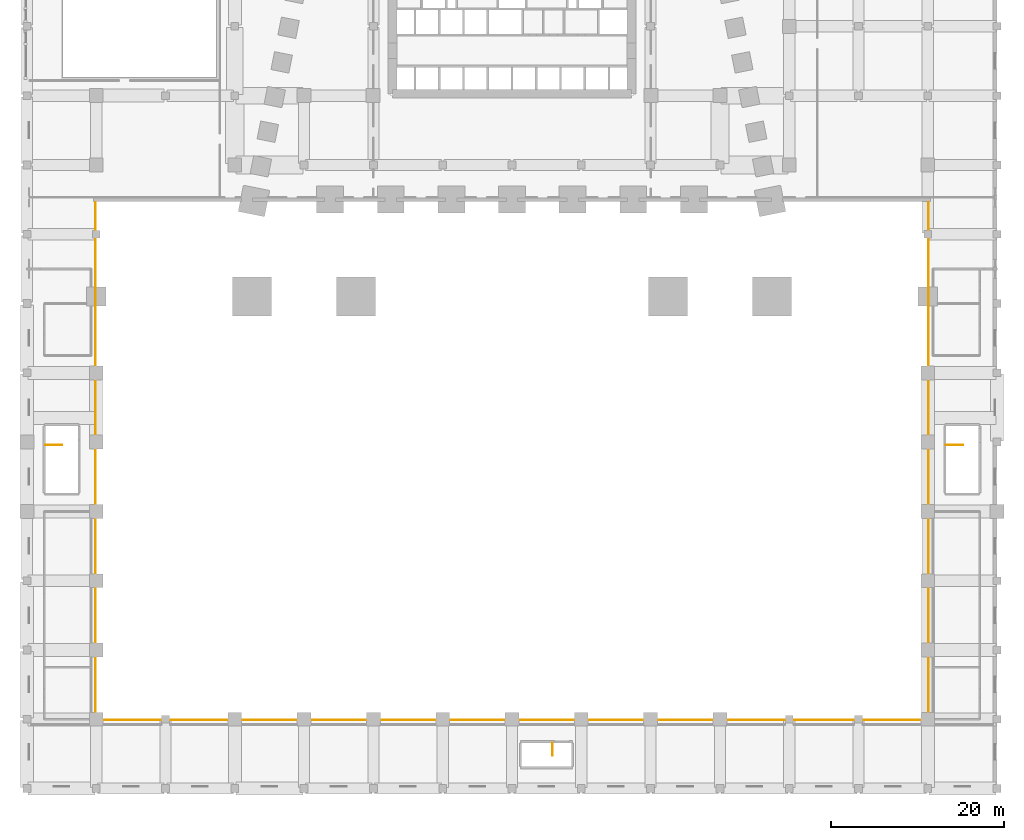
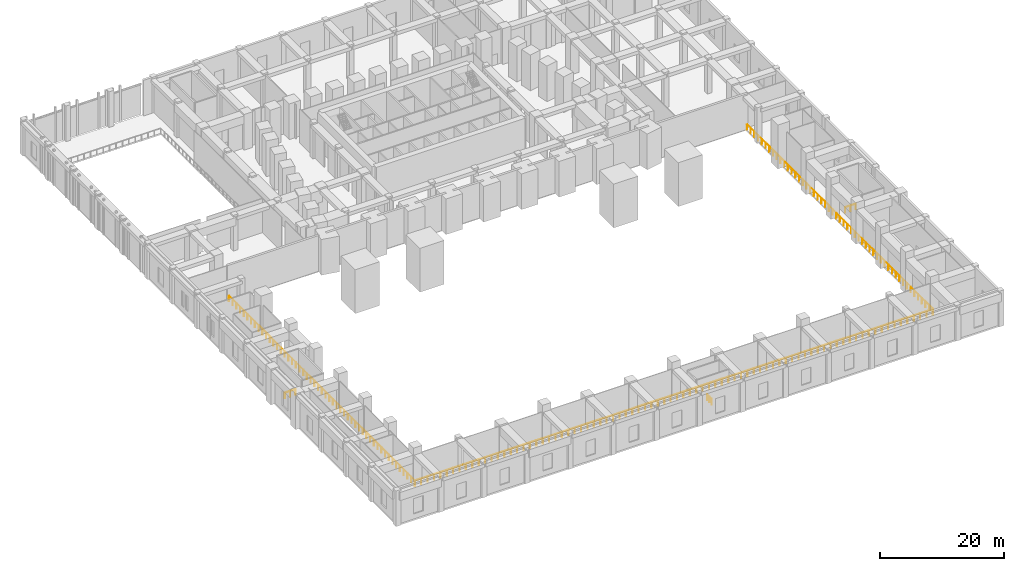
# One storey, part 14 of 18: 6 railings.
"""IFC4 building model written with IfcOpenShell, lengths in metres."""

from ifc_helpers import new_model, si_unit, direction, frame, origin, origin_2d, place, context, subcontext, project, spatial, circle, extrude, material, type_object, element, save


model = new_model("IFC4")

# Units and contexts
model_context = context("Model", 3, precision=1e-05, world=origin(), true_north=direction((0.0, 1.0)))
body_context = subcontext(model_context, "Body", "Model", "MODEL_VIEW")
ifc_project = project(units=[si_unit("LENGTHUNIT", "METRE"), si_unit("AREAUNIT", "SQUARE_METRE"), si_unit("VOLUMEUNIT", "CUBIC_METRE"), si_unit("PLANEANGLEUNIT", "RADIAN"), si_unit("MASSUNIT", "GRAM", prefix="KILO")], contexts=[model_context])

# Site, building, storey
site_placement = place(None, origin())
site = spatial("IfcSite", under=ifc_project, at=site_placement, CompositionType="ELEMENT")
building_placement = place(site_placement, origin())
building = spatial("IfcBuilding", under=site, at=building_placement, Name="Isbrekke Arena Tower", CompositionType="ELEMENT")
storey_placement = place(building_placement, frame((0.0, 0.0, 12.0)))
storey = spatial("IfcBuildingStorey", under=building, at=storey_placement, Name="L02", CompositionType="ELEMENT", Elevation=12.0)

# Railings
ifc_material_1 = material(Name="Laminated glass balustrade, steel handrail", Category="steel")
railing_type_1 = type_object("IfcRailingType", Name="GR1 GUARD 1100 GLASS BALUSTRADE", PredefinedType="BALUSTRADE", material=ifc_material_1)
railing_1_placement = place(storey_placement, frame((48.10009765625, -6.300048828125, 0.0)))
element("IfcRailing", 1, at=railing_1_placement, inside=storey, type_object=railing_type_1, Name="GR1 arena front guard E L02", PredefinedType="BALUSTRADE", context=body_context, shape_type="SweptSolid", body=[
    extrude(circle(Radius=0.02392578125, at=origin_2d()), frame((0.0, 0.0, 1.076171875), z_axis=(0.0, -1.0, 0.0), x_axis=(1.0, 0.0, 0.0)), (0.0, 0.0, 1.0), 59.800048828125),
    extrude(circle(Radius=0.02099609375, at=origin_2d()), origin(), (0.0, 0.0, 1.0), 1.052001953125),
    extrude(circle(Radius=0.02099609375, at=origin_2d()), frame((0.0, -1.196044921875, 0.0)), (0.0, 0.0, 1.0), 1.052001953125),
    extrude(circle(Radius=0.02099609375, at=origin_2d()), frame((0.0, -2.39208984375, 0.0)), (0.0, 0.0, 1.0), 1.052001953125),
    extrude(circle(Radius=0.02099609375, at=origin_2d()), frame((0.0, -3.587890625, 0.0)), (0.0, 0.0, 1.0), 1.052001953125),
    extrude(circle(Radius=0.02099609375, at=origin_2d()), frame((0.0, -4.783935546875, 0.0)), (0.0, 0.0, 1.0), 1.052001953125),
    extrude(circle(Radius=0.02099609375, at=origin_2d()), frame((0.0, -5.97998046875, 0.0)), (0.0, 0.0, 1.0), 1.052001953125),
    extrude(circle(Radius=0.02099609375, at=origin_2d()), frame((0.0, -7.176025390625, 0.0)), (0.0, 0.0, 1.0), 1.052001953125),
    extrude(circle(Radius=0.02099609375, at=origin_2d()), frame((0.0, -8.3720703125, 0.0)), (0.0, 0.0, 1.0), 1.052001953125),
    extrude(circle(Radius=0.02099609375, at=origin_2d()), frame((0.0, -9.568115234375, 0.0)), (0.0, 0.0, 1.0), 1.052001953125),
    extrude(circle(Radius=0.02099609375, at=origin_2d()), frame((0.0, -10.763916015625, 0.0)), (0.0, 0.0, 1.0), 1.052001953125),
    extrude(circle(Radius=0.02099609375, at=origin_2d()), frame((0.0, -11.9599609375, 0.0)), (0.0, 0.0, 1.0), 1.052001953125),
    extrude(circle(Radius=0.02099609375, at=origin_2d()), frame((0.0, -13.156005859375, 0.0)), (0.0, 0.0, 1.0), 1.052001953125),
    extrude(circle(Radius=0.02099609375, at=origin_2d()), frame((0.0, -14.35205078125, 0.0)), (0.0, 0.0, 1.0), 1.052001953125),
    extrude(circle(Radius=0.02099609375, at=origin_2d()), frame((0.0, -15.548095703125, 0.0)), (0.0, 0.0, 1.0), 1.052001953125),
    extrude(circle(Radius=0.02099609375, at=origin_2d()), frame((0.0, -16.743896484375, 0.0)), (0.0, 0.0, 1.0), 1.052001953125),
    extrude(circle(Radius=0.02099609375, at=origin_2d()), frame((0.0, -17.93994140625, 0.0)), (0.0, 0.0, 1.0), 1.052001953125),
    extrude(circle(Radius=0.02099609375, at=origin_2d()), frame((0.0, -19.135986328125, 0.0)), (0.0, 0.0, 1.0), 1.052001953125),
    extrude(circle(Radius=0.02099609375, at=origin_2d()), frame((0.0, -20.33203125, 0.0)), (0.0, 0.0, 1.0), 1.052001953125),
    extrude(circle(Radius=0.02099609375, at=origin_2d()), frame((0.0, -21.528076171875, 0.0)), (0.0, 0.0, 1.0), 1.052001953125),
    extrude(circle(Radius=0.02099609375, at=origin_2d()), frame((0.0, -22.72412109375, 0.0)), (0.0, 0.0, 1.0), 1.052001953125),
    extrude(circle(Radius=0.02099609375, at=origin_2d()), frame((0.0, -23.919921875, 0.0)), (0.0, 0.0, 1.0), 1.052001953125),
    extrude(circle(Radius=0.02099609375, at=origin_2d()), frame((0.0, -25.115966796875, 0.0)), (0.0, 0.0, 1.0), 1.052001953125),
    extrude(circle(Radius=0.02099609375, at=origin_2d()), frame((0.0, -26.31201171875, 0.0)), (0.0, 0.0, 1.0), 1.052001953125),
    extrude(circle(Radius=0.02099609375, at=origin_2d()), frame((0.0, -27.508056640625, 0.0)), (0.0, 0.0, 1.0), 1.052001953125),
    extrude(circle(Radius=0.02099609375, at=origin_2d()), frame((0.0, -28.7041015625, 0.0)), (0.0, 0.0, 1.0), 1.052001953125),
    extrude(circle(Radius=0.02099609375, at=origin_2d()), frame((0.0, -29.89990234375, 0.0)), (0.0, 0.0, 1.0), 1.052001953125),
    extrude(circle(Radius=0.02099609375, at=origin_2d()), frame((0.0, -31.095947265625, 0.0)), (0.0, 0.0, 1.0), 1.052001953125),
    extrude(circle(Radius=0.02099609375, at=origin_2d()), frame((0.0, -32.2919921875, 0.0)), (0.0, 0.0, 1.0), 1.052001953125),
    extrude(circle(Radius=0.02099609375, at=origin_2d()), frame((0.0, -33.488037109375, 0.0)), (0.0, 0.0, 1.0), 1.052001953125),
    extrude(circle(Radius=0.02099609375, at=origin_2d()), frame((0.0, -34.68408203125, 0.0)), (0.0, 0.0, 1.0), 1.052001953125),
    extrude(circle(Radius=0.02099609375, at=origin_2d()), frame((0.0, -35.880126953125, 0.0)), (0.0, 0.0, 1.0), 1.052001953125),
    extrude(circle(Radius=0.02099609375, at=origin_2d()), frame((0.0, -37.075927734375, 0.0)), (0.0, 0.0, 1.0), 1.052001953125),
    extrude(circle(Radius=0.02099609375, at=origin_2d()), frame((0.0, -38.27197265625, 0.0)), (0.0, 0.0, 1.0), 1.052001953125),
    extrude(circle(Radius=0.02099609375, at=origin_2d()), frame((0.0, -39.468017578125, 0.0)), (0.0, 0.0, 1.0), 1.052001953125),
    extrude(circle(Radius=0.02099609375, at=origin_2d()), frame((0.0, -40.6640625, 0.0)), (0.0, 0.0, 1.0), 1.052001953125),
    extrude(circle(Radius=0.02099609375, at=origin_2d()), frame((0.0, -41.860107421875, 0.0)), (0.0, 0.0, 1.0), 1.052001953125),
    extrude(circle(Radius=0.02099609375, at=origin_2d()), frame((0.0, -43.05615234375, 0.0)), (0.0, 0.0, 1.0), 1.052001953125),
    extrude(circle(Radius=0.02099609375, at=origin_2d()), frame((0.0, -44.251953125, 0.0)), (0.0, 0.0, 1.0), 1.052001953125),
    extrude(circle(Radius=0.02099609375, at=origin_2d()), frame((0.0, -45.447998046875, 0.0)), (0.0, 0.0, 1.0), 1.052001953125),
    extrude(circle(Radius=0.02099609375, at=origin_2d()), frame((0.0, -46.64404296875, 0.0)), (0.0, 0.0, 1.0), 1.052001953125),
    extrude(circle(Radius=0.02099609375, at=origin_2d()), frame((0.0, -47.840087890625, 0.0)), (0.0, 0.0, 1.0), 1.052001953125),
    extrude(circle(Radius=0.02099609375, at=origin_2d()), frame((0.0, -49.0361328125, 0.0)), (0.0, 0.0, 1.0), 1.052001953125),
    extrude(circle(Radius=0.02099609375, at=origin_2d()), frame((0.0, -50.23193359375, 0.0)), (0.0, 0.0, 1.0), 1.052001953125),
    extrude(circle(Radius=0.02099609375, at=origin_2d()), frame((0.0, -51.427978515625, 0.0)), (0.0, 0.0, 1.0), 1.052001953125),
    extrude(circle(Radius=0.02099609375, at=origin_2d()), frame((0.0, -52.6240234375, 0.0)), (0.0, 0.0, 1.0), 1.052001953125),
    extrude(circle(Radius=0.02099609375, at=origin_2d()), frame((0.0, -53.820068359375, 0.0)), (0.0, 0.0, 1.0), 1.052001953125),
    extrude(circle(Radius=0.02099609375, at=origin_2d()), frame((0.0, -55.01611328125, 0.0)), (0.0, 0.0, 1.0), 1.052001953125),
    extrude(circle(Radius=0.02099609375, at=origin_2d()), frame((0.0, -56.212158203125, 0.0)), (0.0, 0.0, 1.0), 1.052001953125),
    extrude(circle(Radius=0.02099609375, at=origin_2d()), frame((0.0, -57.407958984375, 0.0)), (0.0, 0.0, 1.0), 1.052001953125),
    extrude(circle(Radius=0.02099609375, at=origin_2d()), frame((0.0, -58.60400390625, 0.0)), (0.0, 0.0, 1.0), 1.052001953125),
    extrude(circle(Radius=0.02099609375, at=origin_2d()), frame((0.0, -59.800048828125, 0.0)), (0.0, 0.0, 1.0), 1.052001953125),
])
railing_2_placement = place(storey_placement, frame((48.10009765625, -66.10009765625, 0.0)))
element("IfcRailing", 2, at=railing_2_placement, inside=storey, type_object=railing_type_1, Name="GR1 arena front guard S L02", PredefinedType="BALUSTRADE", context=body_context, shape_type="SweptSolid", body=[
    extrude(circle(Radius=0.02392578125, at=origin_2d()), frame((0.0, 0.0, 1.076171875), z_axis=(-1.0, 0.0, 0.0), x_axis=(0.0, -1.0, 0.0)), (0.0, 0.0, 1.0), 96.2001953125),
    extrude(circle(Radius=0.02099609375, at=origin_2d()), origin(), (0.0, 0.0, 1.0), 1.052001953125),
    extrude(circle(Radius=0.02099609375, at=origin_2d()), frame((-1.187744140625, 0.0, 0.0)), (0.0, 0.0, 1.0), 1.052001953125),
    extrude(circle(Radius=0.02099609375, at=origin_2d()), frame((-2.375244140625, 0.0, 0.0)), (0.0, 0.0, 1.0), 1.052001953125),
    extrude(circle(Radius=0.02099609375, at=origin_2d()), frame((-3.56298828125, 0.0, 0.0)), (0.0, 0.0, 1.0), 1.052001953125),
    extrude(circle(Radius=0.02099609375, at=origin_2d()), frame((-4.750732421875, 0.0, 0.0)), (0.0, 0.0, 1.0), 1.052001953125),
    extrude(circle(Radius=0.02099609375, at=origin_2d()), frame((-5.938232421875, 0.0, 0.0)), (0.0, 0.0, 1.0), 1.052001953125),
    extrude(circle(Radius=0.02099609375, at=origin_2d()), frame((-7.1259765625, 0.0, 0.0)), (0.0, 0.0, 1.0), 1.052001953125),
    extrude(circle(Radius=0.02099609375, at=origin_2d()), frame((-8.3134765625, 0.0, 0.0)), (0.0, 0.0, 1.0), 1.052001953125),
    extrude(circle(Radius=0.02099609375, at=origin_2d()), frame((-9.501220703125, 0.0, 0.0)), (0.0, 0.0, 1.0), 1.052001953125),
    extrude(circle(Radius=0.02099609375, at=origin_2d()), frame((-10.68896484375, 0.0, 0.0)), (0.0, 0.0, 1.0), 1.052001953125),
    extrude(circle(Radius=0.02099609375, at=origin_2d()), frame((-11.87646484375, 0.0, 0.0)), (0.0, 0.0, 1.0), 1.052001953125),
    extrude(circle(Radius=0.02099609375, at=origin_2d()), frame((-13.064208984375, 0.0, 0.0)), (0.0, 0.0, 1.0), 1.052001953125),
    extrude(circle(Radius=0.02099609375, at=origin_2d()), frame((-14.251953125, 0.0, 0.0)), (0.0, 0.0, 1.0), 1.052001953125),
    extrude(circle(Radius=0.02099609375, at=origin_2d()), frame((-15.439453125, 0.0, 0.0)), (0.0, 0.0, 1.0), 1.052001953125),
    extrude(circle(Radius=0.02099609375, at=origin_2d()), frame((-16.627197265625, 0.0, 0.0)), (0.0, 0.0, 1.0), 1.052001953125),
    extrude(circle(Radius=0.02099609375, at=origin_2d()), frame((-17.81494140625, 0.0, 0.0)), (0.0, 0.0, 1.0), 1.052001953125),
    extrude(circle(Radius=0.02099609375, at=origin_2d()), frame((-19.00244140625, 0.0, 0.0)), (0.0, 0.0, 1.0), 1.052001953125),
    extrude(circle(Radius=0.02099609375, at=origin_2d()), frame((-20.190185546875, 0.0, 0.0)), (0.0, 0.0, 1.0), 1.052001953125),
    extrude(circle(Radius=0.02099609375, at=origin_2d()), frame((-21.3779296875, 0.0, 0.0)), (0.0, 0.0, 1.0), 1.052001953125),
    extrude(circle(Radius=0.02099609375, at=origin_2d()), frame((-22.5654296875, 0.0, 0.0)), (0.0, 0.0, 1.0), 1.052001953125),
    extrude(circle(Radius=0.02099609375, at=origin_2d()), frame((-23.753173828125, 0.0, 0.0)), (0.0, 0.0, 1.0), 1.052001953125),
    extrude(circle(Radius=0.02099609375, at=origin_2d()), frame((-24.940673828125, 0.0, 0.0)), (0.0, 0.0, 1.0), 1.052001953125),
    extrude(circle(Radius=0.02099609375, at=origin_2d()), frame((-26.12841796875, 0.0, 0.0)), (0.0, 0.0, 1.0), 1.052001953125),
    extrude(circle(Radius=0.02099609375, at=origin_2d()), frame((-27.316162109375, 0.0, 0.0)), (0.0, 0.0, 1.0), 1.052001953125),
    extrude(circle(Radius=0.02099609375, at=origin_2d()), frame((-28.503662109375, 0.0, 0.0)), (0.0, 0.0, 1.0), 1.052001953125),
    extrude(circle(Radius=0.02099609375, at=origin_2d()), frame((-29.69140625, 0.0, 0.0)), (0.0, 0.0, 1.0), 1.052001953125),
    extrude(circle(Radius=0.02099609375, at=origin_2d()), frame((-30.879150390625, 0.0, 0.0)), (0.0, 0.0, 1.0), 1.052001953125),
    extrude(circle(Radius=0.02099609375, at=origin_2d()), frame((-32.066650390625, 0.0, 0.0)), (0.0, 0.0, 1.0), 1.052001953125),
    extrude(circle(Radius=0.02099609375, at=origin_2d()), frame((-33.25439453125, 0.0, 0.0)), (0.0, 0.0, 1.0), 1.052001953125),
    extrude(circle(Radius=0.02099609375, at=origin_2d()), frame((-34.442138671875, 0.0, 0.0)), (0.0, 0.0, 1.0), 1.052001953125),
    extrude(circle(Radius=0.02099609375, at=origin_2d()), frame((-35.629638671875, 0.0, 0.0)), (0.0, 0.0, 1.0), 1.052001953125),
    extrude(circle(Radius=0.02099609375, at=origin_2d()), frame((-36.8173828125, 0.0, 0.0)), (0.0, 0.0, 1.0), 1.052001953125),
    extrude(circle(Radius=0.02099609375, at=origin_2d()), frame((-38.005126953125, 0.0, 0.0)), (0.0, 0.0, 1.0), 1.052001953125),
    extrude(circle(Radius=0.02099609375, at=origin_2d()), frame((-39.192626953125, 0.0, 0.0)), (0.0, 0.0, 1.0), 1.052001953125),
    extrude(circle(Radius=0.02099609375, at=origin_2d()), frame((-40.38037109375, 0.0, 0.0)), (0.0, 0.0, 1.0), 1.052001953125),
    extrude(circle(Radius=0.02099609375, at=origin_2d()), frame((-41.56787109375, 0.0, 0.0)), (0.0, 0.0, 1.0), 1.052001953125),
    extrude(circle(Radius=0.02099609375, at=origin_2d()), frame((-42.755615234375, 0.0, 0.0)), (0.0, 0.0, 1.0), 1.052001953125),
    extrude(circle(Radius=0.02099609375, at=origin_2d()), frame((-43.943359375, 0.0, 0.0)), (0.0, 0.0, 1.0), 1.052001953125),
    extrude(circle(Radius=0.02099609375, at=origin_2d()), frame((-45.130859375, 0.0, 0.0)), (0.0, 0.0, 1.0), 1.052001953125),
    extrude(circle(Radius=0.02099609375, at=origin_2d()), frame((-46.318603515625, 0.0, 0.0)), (0.0, 0.0, 1.0), 1.052001953125),
    extrude(circle(Radius=0.02099609375, at=origin_2d()), frame((-47.50634765625, 0.0, 0.0)), (0.0, 0.0, 1.0), 1.052001953125),
    extrude(circle(Radius=0.02099609375, at=origin_2d()), frame((-48.69384765625, 0.0, 0.0)), (0.0, 0.0, 1.0), 1.052001953125),
    extrude(circle(Radius=0.02099609375, at=origin_2d()), frame((-49.881591796875, 0.0, 0.0)), (0.0, 0.0, 1.0), 1.052001953125),
    extrude(circle(Radius=0.02099609375, at=origin_2d()), frame((-51.0693359375, 0.0, 0.0)), (0.0, 0.0, 1.0), 1.052001953125),
    extrude(circle(Radius=0.02099609375, at=origin_2d()), frame((-52.2568359375, 0.0, 0.0)), (0.0, 0.0, 1.0), 1.052001953125),
    extrude(circle(Radius=0.02099609375, at=origin_2d()), frame((-53.444580078125, 0.0, 0.0)), (0.0, 0.0, 1.0), 1.052001953125),
    extrude(circle(Radius=0.02099609375, at=origin_2d()), frame((-54.63232421875, 0.0, 0.0)), (0.0, 0.0, 1.0), 1.052001953125),
    extrude(circle(Radius=0.02099609375, at=origin_2d()), frame((-55.81982421875, 0.0, 0.0)), (0.0, 0.0, 1.0), 1.052001953125),
    extrude(circle(Radius=0.02099609375, at=origin_2d()), frame((-57.007568359375, 0.0, 0.0)), (0.0, 0.0, 1.0), 1.052001953125),
    extrude(circle(Radius=0.02099609375, at=origin_2d()), frame((-58.195068359375, 0.0, 0.0)), (0.0, 0.0, 1.0), 1.052001953125),
    extrude(circle(Radius=0.02099609375, at=origin_2d()), frame((-59.3828125, 0.0, 0.0)), (0.0, 0.0, 1.0), 1.052001953125),
    extrude(circle(Radius=0.02099609375, at=origin_2d()), frame((-60.570556640625, 0.0, 0.0)), (0.0, 0.0, 1.0), 1.052001953125),
    extrude(circle(Radius=0.02099609375, at=origin_2d()), frame((-61.758056640625, 0.0, 0.0)), (0.0, 0.0, 1.0), 1.052001953125),
    extrude(circle(Radius=0.02099609375, at=origin_2d()), frame((-62.94580078125, 0.0, 0.0)), (0.0, 0.0, 1.0), 1.052001953125),
    extrude(circle(Radius=0.02099609375, at=origin_2d()), frame((-64.133544921875, 0.0, 0.0)), (0.0, 0.0, 1.0), 1.052001953125),
    extrude(circle(Radius=0.02099609375, at=origin_2d()), frame((-65.321044921875, 0.0, 0.0)), (0.0, 0.0, 1.0), 1.052001953125),
    extrude(circle(Radius=0.02099609375, at=origin_2d()), frame((-66.5087890625, 0.0, 0.0)), (0.0, 0.0, 1.0), 1.052001953125),
    extrude(circle(Radius=0.02099609375, at=origin_2d()), frame((-67.696533203125, 0.0, 0.0)), (0.0, 0.0, 1.0), 1.052001953125),
    extrude(circle(Radius=0.02099609375, at=origin_2d()), frame((-68.884033203125, 0.0, 0.0)), (0.0, 0.0, 1.0), 1.052001953125),
    extrude(circle(Radius=0.02099609375, at=origin_2d()), frame((-70.07177734375, 0.0, 0.0)), (0.0, 0.0, 1.0), 1.052001953125),
    extrude(circle(Radius=0.02099609375, at=origin_2d()), frame((-71.259521484375, 0.0, 0.0)), (0.0, 0.0, 1.0), 1.052001953125),
    extrude(circle(Radius=0.02099609375, at=origin_2d()), frame((-72.447021484375, 0.0, 0.0)), (0.0, 0.0, 1.0), 1.052001953125),
    extrude(circle(Radius=0.02099609375, at=origin_2d()), frame((-73.634765625, 0.0, 0.0)), (0.0, 0.0, 1.0), 1.052001953125),
    extrude(circle(Radius=0.02099609375, at=origin_2d()), frame((-74.822265625, 0.0, 0.0)), (0.0, 0.0, 1.0), 1.052001953125),
    extrude(circle(Radius=0.02099609375, at=origin_2d()), frame((-76.010009765625, 0.0, 0.0)), (0.0, 0.0, 1.0), 1.052001953125),
    extrude(circle(Radius=0.02099609375, at=origin_2d()), frame((-77.19775390625, 0.0, 0.0)), (0.0, 0.0, 1.0), 1.052001953125),
    extrude(circle(Radius=0.02099609375, at=origin_2d()), frame((-78.38525390625, 0.0, 0.0)), (0.0, 0.0, 1.0), 1.052001953125),
    extrude(circle(Radius=0.02099609375, at=origin_2d()), frame((-79.572998046875, 0.0, 0.0)), (0.0, 0.0, 1.0), 1.052001953125),
    extrude(circle(Radius=0.02099609375, at=origin_2d()), frame((-80.7607421875, 0.0, 0.0)), (0.0, 0.0, 1.0), 1.052001953125),
    extrude(circle(Radius=0.02099609375, at=origin_2d()), frame((-81.9482421875, 0.0, 0.0)), (0.0, 0.0, 1.0), 1.052001953125),
    extrude(circle(Radius=0.02099609375, at=origin_2d()), frame((-83.135986328125, 0.0, 0.0)), (0.0, 0.0, 1.0), 1.052001953125),
    extrude(circle(Radius=0.02099609375, at=origin_2d()), frame((-84.32373046875, 0.0, 0.0)), (0.0, 0.0, 1.0), 1.052001953125),
    extrude(circle(Radius=0.02099609375, at=origin_2d()), frame((-85.51123046875, 0.0, 0.0)), (0.0, 0.0, 1.0), 1.052001953125),
    extrude(circle(Radius=0.02099609375, at=origin_2d()), frame((-86.698974609375, 0.0, 0.0)), (0.0, 0.0, 1.0), 1.052001953125),
    extrude(circle(Radius=0.02099609375, at=origin_2d()), frame((-87.88671875, 0.0, 0.0)), (0.0, 0.0, 1.0), 1.052001953125),
    extrude(circle(Radius=0.02099609375, at=origin_2d()), frame((-89.07421875, 0.0, 0.0)), (0.0, 0.0, 1.0), 1.052001953125),
    extrude(circle(Radius=0.02099609375, at=origin_2d()), frame((-90.261962890625, 0.0, 0.0)), (0.0, 0.0, 1.0), 1.052001953125),
    extrude(circle(Radius=0.02099609375, at=origin_2d()), frame((-91.449462890625, 0.0, 0.0)), (0.0, 0.0, 1.0), 1.052001953125),
    extrude(circle(Radius=0.02099609375, at=origin_2d()), frame((-92.63720703125, 0.0, 0.0)), (0.0, 0.0, 1.0), 1.052001953125),
    extrude(circle(Radius=0.02099609375, at=origin_2d()), frame((-93.824951171875, 0.0, 0.0)), (0.0, 0.0, 1.0), 1.052001953125),
    extrude(circle(Radius=0.02099609375, at=origin_2d()), frame((-95.012451171875, 0.0, 0.0)), (0.0, 0.0, 1.0), 1.052001953125),
    extrude(circle(Radius=0.02099609375, at=origin_2d()), frame((-96.2001953125, 0.0, 0.0)), (0.0, 0.0, 1.0), 1.052001953125),
])
railing_3_placement = place(storey_placement, frame((-48.10009765625, -66.10009765625, 0.0)))
element("IfcRailing", 3, at=railing_3_placement, inside=storey, type_object=railing_type_1, Name="GR1 arena front guard W L02", PredefinedType="BALUSTRADE", context=body_context, shape_type="SweptSolid", body=[
    extrude(circle(Radius=0.02392578125, at=origin_2d()), frame((0.0, 0.0, 1.076171875), z_axis=(0.0, 1.0, 0.0), x_axis=(-1.0, 0.0, 0.0)), (0.0, 0.0, 1.0), 59.800048828125),
    extrude(circle(Radius=0.02099609375, at=origin_2d()), origin(), (0.0, 0.0, 1.0), 1.052001953125),
    extrude(circle(Radius=0.02099609375, at=origin_2d()), frame((0.0, 1.196044921875, 0.0)), (0.0, 0.0, 1.0), 1.052001953125),
    extrude(circle(Radius=0.02099609375, at=origin_2d()), frame((0.0, 2.39208984375, 0.0)), (0.0, 0.0, 1.0), 1.052001953125),
    extrude(circle(Radius=0.02099609375, at=origin_2d()), frame((0.0, 3.587890625, 0.0)), (0.0, 0.0, 1.0), 1.052001953125),
    extrude(circle(Radius=0.02099609375, at=origin_2d()), frame((0.0, 4.783935546875, 0.0)), (0.0, 0.0, 1.0), 1.052001953125),
    extrude(circle(Radius=0.02099609375, at=origin_2d()), frame((0.0, 5.97998046875, 0.0)), (0.0, 0.0, 1.0), 1.052001953125),
    extrude(circle(Radius=0.02099609375, at=origin_2d()), frame((0.0, 7.176025390625, 0.0)), (0.0, 0.0, 1.0), 1.052001953125),
    extrude(circle(Radius=0.02099609375, at=origin_2d()), frame((0.0, 8.3720703125, 0.0)), (0.0, 0.0, 1.0), 1.052001953125),
    extrude(circle(Radius=0.02099609375, at=origin_2d()), frame((0.0, 9.568115234375, 0.0)), (0.0, 0.0, 1.0), 1.052001953125),
    extrude(circle(Radius=0.02099609375, at=origin_2d()), frame((0.0, 10.763916015625, 0.0)), (0.0, 0.0, 1.0), 1.052001953125),
    extrude(circle(Radius=0.02099609375, at=origin_2d()), frame((0.0, 11.9599609375, 0.0)), (0.0, 0.0, 1.0), 1.052001953125),
    extrude(circle(Radius=0.02099609375, at=origin_2d()), frame((0.0, 13.156005859375, 0.0)), (0.0, 0.0, 1.0), 1.052001953125),
    extrude(circle(Radius=0.02099609375, at=origin_2d()), frame((0.0, 14.35205078125, 0.0)), (0.0, 0.0, 1.0), 1.052001953125),
    extrude(circle(Radius=0.02099609375, at=origin_2d()), frame((0.0, 15.548095703125, 0.0)), (0.0, 0.0, 1.0), 1.052001953125),
    extrude(circle(Radius=0.02099609375, at=origin_2d()), frame((0.0, 16.743896484375, 0.0)), (0.0, 0.0, 1.0), 1.052001953125),
    extrude(circle(Radius=0.02099609375, at=origin_2d()), frame((0.0, 17.93994140625, 0.0)), (0.0, 0.0, 1.0), 1.052001953125),
    extrude(circle(Radius=0.02099609375, at=origin_2d()), frame((0.0, 19.135986328125, 0.0)), (0.0, 0.0, 1.0), 1.052001953125),
    extrude(circle(Radius=0.02099609375, at=origin_2d()), frame((0.0, 20.33203125, 0.0)), (0.0, 0.0, 1.0), 1.052001953125),
    extrude(circle(Radius=0.02099609375, at=origin_2d()), frame((0.0, 21.528076171875, 0.0)), (0.0, 0.0, 1.0), 1.052001953125),
    extrude(circle(Radius=0.02099609375, at=origin_2d()), frame((0.0, 22.72412109375, 0.0)), (0.0, 0.0, 1.0), 1.052001953125),
    extrude(circle(Radius=0.02099609375, at=origin_2d()), frame((0.0, 23.919921875, 0.0)), (0.0, 0.0, 1.0), 1.052001953125),
    extrude(circle(Radius=0.02099609375, at=origin_2d()), frame((0.0, 25.115966796875, 0.0)), (0.0, 0.0, 1.0), 1.052001953125),
    extrude(circle(Radius=0.02099609375, at=origin_2d()), frame((0.0, 26.31201171875, 0.0)), (0.0, 0.0, 1.0), 1.052001953125),
    extrude(circle(Radius=0.02099609375, at=origin_2d()), frame((0.0, 27.508056640625, 0.0)), (0.0, 0.0, 1.0), 1.052001953125),
    extrude(circle(Radius=0.02099609375, at=origin_2d()), frame((0.0, 28.7041015625, 0.0)), (0.0, 0.0, 1.0), 1.052001953125),
    extrude(circle(Radius=0.02099609375, at=origin_2d()), frame((0.0, 29.89990234375, 0.0)), (0.0, 0.0, 1.0), 1.052001953125),
    extrude(circle(Radius=0.02099609375, at=origin_2d()), frame((0.0, 31.095947265625, 0.0)), (0.0, 0.0, 1.0), 1.052001953125),
    extrude(circle(Radius=0.02099609375, at=origin_2d()), frame((0.0, 32.2919921875, 0.0)), (0.0, 0.0, 1.0), 1.052001953125),
    extrude(circle(Radius=0.02099609375, at=origin_2d()), frame((0.0, 33.488037109375, 0.0)), (0.0, 0.0, 1.0), 1.052001953125),
    extrude(circle(Radius=0.02099609375, at=origin_2d()), frame((0.0, 34.68408203125, 0.0)), (0.0, 0.0, 1.0), 1.052001953125),
    extrude(circle(Radius=0.02099609375, at=origin_2d()), frame((0.0, 35.880126953125, 0.0)), (0.0, 0.0, 1.0), 1.052001953125),
    extrude(circle(Radius=0.02099609375, at=origin_2d()), frame((0.0, 37.075927734375, 0.0)), (0.0, 0.0, 1.0), 1.052001953125),
    extrude(circle(Radius=0.02099609375, at=origin_2d()), frame((0.0, 38.27197265625, 0.0)), (0.0, 0.0, 1.0), 1.052001953125),
    extrude(circle(Radius=0.02099609375, at=origin_2d()), frame((0.0, 39.468017578125, 0.0)), (0.0, 0.0, 1.0), 1.052001953125),
    extrude(circle(Radius=0.02099609375, at=origin_2d()), frame((0.0, 40.6640625, 0.0)), (0.0, 0.0, 1.0), 1.052001953125),
    extrude(circle(Radius=0.02099609375, at=origin_2d()), frame((0.0, 41.860107421875, 0.0)), (0.0, 0.0, 1.0), 1.052001953125),
    extrude(circle(Radius=0.02099609375, at=origin_2d()), frame((0.0, 43.05615234375, 0.0)), (0.0, 0.0, 1.0), 1.052001953125),
    extrude(circle(Radius=0.02099609375, at=origin_2d()), frame((0.0, 44.251953125, 0.0)), (0.0, 0.0, 1.0), 1.052001953125),
    extrude(circle(Radius=0.02099609375, at=origin_2d()), frame((0.0, 45.447998046875, 0.0)), (0.0, 0.0, 1.0), 1.052001953125),
    extrude(circle(Radius=0.02099609375, at=origin_2d()), frame((0.0, 46.64404296875, 0.0)), (0.0, 0.0, 1.0), 1.052001953125),
    extrude(circle(Radius=0.02099609375, at=origin_2d()), frame((0.0, 47.840087890625, 0.0)), (0.0, 0.0, 1.0), 1.052001953125),
    extrude(circle(Radius=0.02099609375, at=origin_2d()), frame((0.0, 49.0361328125, 0.0)), (0.0, 0.0, 1.0), 1.052001953125),
    extrude(circle(Radius=0.02099609375, at=origin_2d()), frame((0.0, 50.23193359375, 0.0)), (0.0, 0.0, 1.0), 1.052001953125),
    extrude(circle(Radius=0.02099609375, at=origin_2d()), frame((0.0, 51.427978515625, 0.0)), (0.0, 0.0, 1.0), 1.052001953125),
    extrude(circle(Radius=0.02099609375, at=origin_2d()), frame((0.0, 52.6240234375, 0.0)), (0.0, 0.0, 1.0), 1.052001953125),
    extrude(circle(Radius=0.02099609375, at=origin_2d()), frame((0.0, 53.820068359375, 0.0)), (0.0, 0.0, 1.0), 1.052001953125),
    extrude(circle(Radius=0.02099609375, at=origin_2d()), frame((0.0, 55.01611328125, 0.0)), (0.0, 0.0, 1.0), 1.052001953125),
    extrude(circle(Radius=0.02099609375, at=origin_2d()), frame((0.0, 56.212158203125, 0.0)), (0.0, 0.0, 1.0), 1.052001953125),
    extrude(circle(Radius=0.02099609375, at=origin_2d()), frame((0.0, 57.407958984375, 0.0)), (0.0, 0.0, 1.0), 1.052001953125),
    extrude(circle(Radius=0.02099609375, at=origin_2d()), frame((0.0, 58.60400390625, 0.0)), (0.0, 0.0, 1.0), 1.052001953125),
    extrude(circle(Radius=0.02099609375, at=origin_2d()), frame((0.0, 59.800048828125, 0.0)), (0.0, 0.0, 1.0), 1.052001953125),
])
ifc_material_2 = material(Name="Steel stair guard, vertical bars, steel handrail", Category="steel")
railing_type_2 = type_object("IfcRailingType", Name="GR3 STAIR WELL GUARD 1100", PredefinedType="GUARDRAIL", material=ifc_material_2)
for number, where, name in (
    (4, (50.125, -34.324951171875, 0.0), "GR3 stair well guard P3 L02"),
    (5, (-53.875, -34.324951171875, 0.0), "GR3 stair well guard P4 L02"),
):
    element("IfcRailing", number, at=place(storey_placement, frame(where)), inside=storey, type_object=railing_type_2, Name=name, PredefinedType="GUARDRAIL", context=body_context, shape_type="SweptSolid", body=[
        extrude(circle(Radius=0.02392578125, at=origin_2d()), frame((0.0, 0.0, 1.076171875), z_axis=(1.0, 0.0, 0.0), x_axis=(0.0, 1.0, 0.0)), (0.0, 0.0, 1.0), 1.949951171875),
        extrude(circle(Radius=0.02099609375, at=origin_2d()), origin(), (0.0, 0.0, 1.0), 1.052001953125),
        extrude(circle(Radius=0.02099609375, at=origin_2d()), frame((0.97509765625, 0.0, 0.0)), (0.0, 0.0, 1.0), 1.052001953125),
        extrude(circle(Radius=0.02099609375, at=origin_2d()), frame((1.949951171875, 0.0, 0.0)), (0.0, 0.0, 1.0), 1.052001953125),
    ])
railing_4_placement = place(storey_placement, frame((4.675048828125, -68.72509765625, 0.0)))
element("IfcRailing", 6, at=railing_4_placement, inside=storey, type_object=railing_type_2, Name="GR3 stair well guard P5 L02", PredefinedType="GUARDRAIL", context=body_context, shape_type="SweptSolid", body=[
    extrude(circle(Radius=0.02392578125, at=origin_2d()), frame((0.0, 0.0, 1.076171875), z_axis=(0.0, -1.0, 0.0), x_axis=(1.0, 0.0, 0.0)), (0.0, 0.0, 1.0), 1.449951171875),
    extrude(circle(Radius=0.02099609375, at=origin_2d()), origin(), (0.0, 0.0, 1.0), 1.052001953125),
    extrude(circle(Radius=0.02099609375, at=origin_2d()), frame((0.0, -0.72509765625, 0.0)), (0.0, 0.0, 1.0), 1.052001953125),
    extrude(circle(Radius=0.02099609375, at=origin_2d()), frame((0.0, -1.449951171875, 0.0)), (0.0, 0.0, 1.0), 1.052001953125),
])

save(model, "model.ifc")
